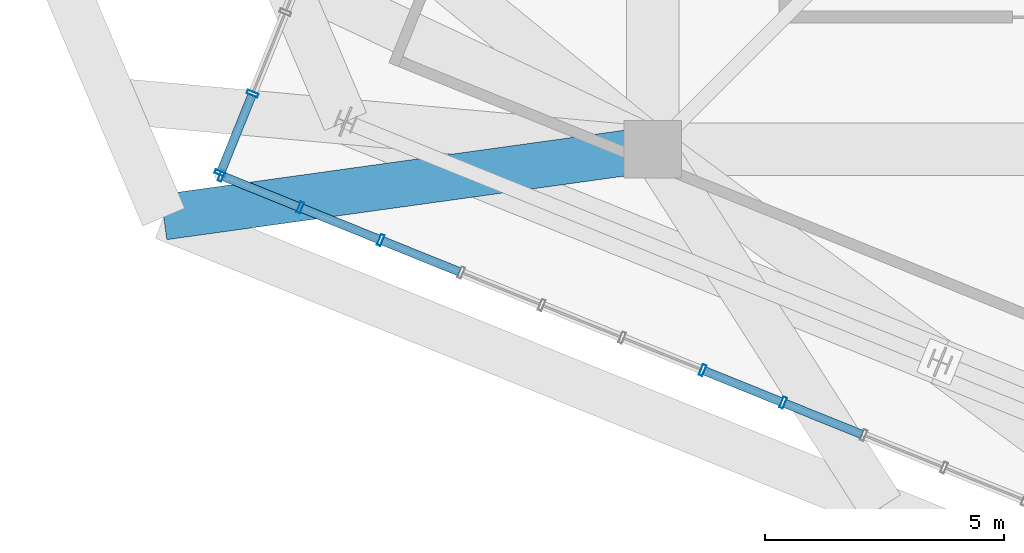
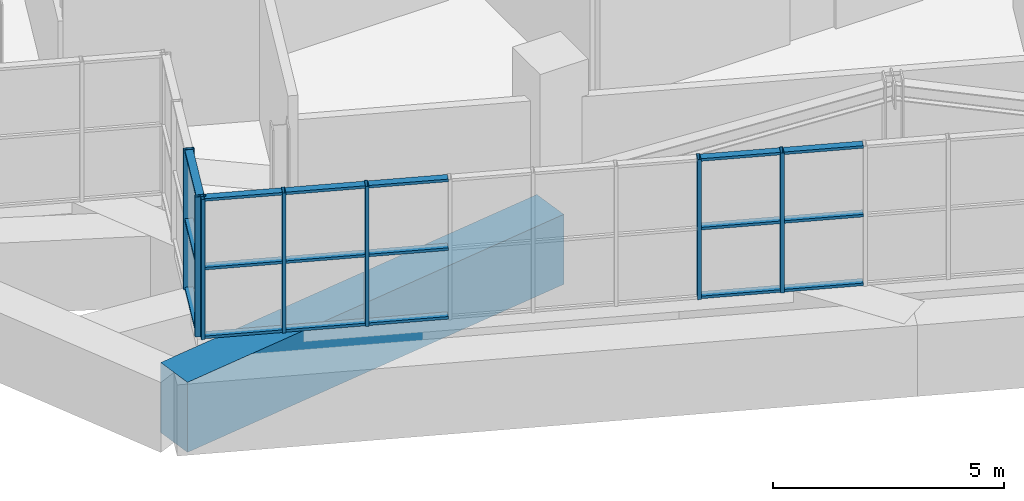
# One storey, part 3 of 35: 25 members, 1 beam, 2 elements without a shape of their own.
"""IFC4 building model written with IfcOpenShell, lengths in metres."""

import ifcopenshell
import ifcopenshell.guid

model = None  # the IFC model being written
_history = None  # IfcOwnerHistory: only IFC2X3 demands one
_inside = {}  # id of a spatial element -> (the spatial element, [elements in it])
_under = {}  # id of a project, library or spatial element -> (it, [spatial elements below it])
_declared = {}  # id of a project -> (the project, [libraries it declares])
_typed = {}  # id of a type object -> (the type object, [elements of that type])
_made_of = {}  # id of a material, layer set ... -> (it, [elements and type objects made of it])


def new_model(schema):
    """Start an empty IFC model of exactly this schema.

    Asked for "IFC4X3", IfcOpenShell would pick the latest addendum, in which some entities
    have other attributes; the version numbers below select the first issue.
    IFC2X3 requires an IfcOwnerHistory on every rooted entity: one is made here for all.
    """
    global model, _history
    if schema == "IFC4X3":
        model = ifcopenshell.file(schema_version=(4, 3, 0, 0))
    else:
        model = ifcopenshell.file(schema=schema)
    _inside.clear()
    _under.clear()
    _declared.clear()
    _typed.clear()
    _made_of.clear()
    _history = None
    if model.schema == "IFC2X3":
        org = make("IfcOrganization", Name="unknown")
        user = make(
            "IfcPersonAndOrganization",
            ThePerson=make("IfcPerson", FamilyName="unknown"),
            TheOrganization=org,
        )
        app = make(
            "IfcApplication",
            ApplicationDeveloper=org,
            Version="unknown",
            ApplicationFullName="unknown",
            ApplicationIdentifier="unknown",
        )
        _history = make(
            "IfcOwnerHistory",
            OwningUser=user,
            OwningApplication=app,
            ChangeAction="ADDED",
            CreationDate=0,
        )
    return model


def make(cls, **values):
    """One entity of the class cls with the attributes given. An attribute that is None is left unset."""
    return model.create_entity(
        cls, **{name: value for name, value in values.items() if value is not None}
    )


def rooted(cls, **values):
    """An entity with a GlobalId (a new one), such as an element, a storey or a relation."""
    return make(cls, GlobalId=ifcopenshell.guid.new(), OwnerHistory=_history, **values)


def si_unit(unit_type, name, prefix=None):
    """IfcSIUnit, for example si_unit("LENGTHUNIT", "METRE", prefix="MILLI")."""
    return make("IfcSIUnit", UnitType=unit_type, Prefix=prefix, Name=name)


def assignment(units):
    """IfcUnitAssignment: the units of a project."""
    return None if units is None else make("IfcUnitAssignment", Units=units)


def point(xyz):
    """IfcCartesianPoint."""
    return None if xyz is None else make("IfcCartesianPoint", Coordinates=xyz)


def direction(xyz):
    """IfcDirection."""
    return None if xyz is None else make("IfcDirection", DirectionRatios=xyz)


def frame(location, z_axis=None, x_axis=None):
    """IfcAxis2Placement3D, a coordinate frame: its origin and axes. An axis left out is left unset."""
    return make(
        "IfcAxis2Placement3D",
        Location=point(location),
        Axis=direction(z_axis),
        RefDirection=direction(x_axis),
    )


def frame_2d(location, x_axis=None):
    """IfcAxis2Placement2D, a coordinate frame in the plane: its origin and x axis."""
    return make(
        "IfcAxis2Placement2D", Location=point(location), RefDirection=direction(x_axis)
    )


def origin():
    """The frame at (0, 0, 0) with its axes left unset."""
    return frame((0.0, 0.0, 0.0))


def origin_2d():
    """The frame at (0, 0) in the plane with its x axis left unset."""
    return frame_2d((0.0, 0.0))


def place(relative_to, where):
    """IfcLocalPlacement: puts the frame where relative to a parent placement (None: the world)."""
    return make(
        "IfcLocalPlacement", PlacementRelTo=relative_to, RelativePlacement=where
    )


def context(
    kind, dimensions, precision=None, world=None, true_north=None, identifier=None
):
    """IfcGeometricRepresentationContext, for example the 3D "Model" context."""
    return make(
        "IfcGeometricRepresentationContext",
        ContextIdentifier=identifier,
        ContextType=kind,
        CoordinateSpaceDimension=dimensions,
        Precision=precision,
        WorldCoordinateSystem=world,
        TrueNorth=true_north,
    )


def subcontext(parent, identifier, kind, view, scale=None):
    """IfcGeometricRepresentationSubContext, for example "Body" below "Model"."""
    return make(
        "IfcGeometricRepresentationSubContext",
        ContextIdentifier=identifier,
        ContextType=kind,
        ParentContext=parent,
        TargetScale=scale,
        TargetView=view,
    )


def project(units=None, contexts=None):
    """IfcProject with its units and contexts."""
    return rooted(
        "IfcProject",
        Name="project",
        RepresentationContexts=contexts,
        UnitsInContext=assignment(units),
    )


def spatial(cls, under=None, at=None, **own):
    """A site, building, storey or space (cls), placed at a placement, below another one or the project."""
    s = rooted(cls, ObjectPlacement=at, **own)
    if under is not None:
        _under.setdefault(under.id(), (under, []))[1].append(s)
    return s


def profile(cls, at=None, kind="AREA", **sizes):
    """A parametric profile (cls). Its sizes go by their IFC names, for example OverallWidth=200.0."""
    return make(cls, ProfileType=kind, Position=at, **sizes)


def rectangle(**sizes):
    """IfcRectangleProfileDef."""
    return profile("IfcRectangleProfileDef", **sizes)


def hollow_rectangle(**sizes):
    """IfcRectangleHollowProfileDef."""
    return profile("IfcRectangleHollowProfileDef", **sizes)


def extrude(swept, where, along, depth):
    """IfcExtrudedAreaSolid: the profile swept, set in the frame where, extruded along a direction by depth."""
    return make(
        "IfcExtrudedAreaSolid",
        SweptArea=swept,
        Position=where,
        ExtrudedDirection=direction(along),
        Depth=depth,
    )


def shape(context_of_items, identifier, shape_type, items):
    """IfcShapeRepresentation: the items that make up one representation, for example the "Body"."""
    return make(
        "IfcShapeRepresentation",
        ContextOfItems=context_of_items,
        RepresentationIdentifier=identifier,
        RepresentationType=shape_type,
        Items=items,
    )


def source(mapping_origin, context_of_items, identifier, shape_type, items):
    """IfcRepresentationMap: a shape defined once, which mapped items show again and again."""
    return make(
        "IfcRepresentationMap",
        MappingOrigin=mapping_origin,
        MappedRepresentation=shape(context_of_items, identifier, shape_type, items),
    )


def transform(
    local_origin,
    x_axis=None,
    y_axis=None,
    z_axis=None,
    scale=None,
    scale2=None,
    scale3=None,
    uniform=True,
):
    """IfcCartesianTransformationOperator3D, or its non-uniform kind. x_axis, y_axis, z_axis: its Axis1, 2, 3."""
    if uniform:
        return make(
            "IfcCartesianTransformationOperator3D",
            Axis1=direction(x_axis),
            Axis2=direction(y_axis),
            LocalOrigin=point(local_origin),
            Scale=scale,
            Axis3=direction(z_axis),
        )
    return make(
        "IfcCartesianTransformationOperator3DnonUniform",
        Axis1=direction(x_axis),
        Axis2=direction(y_axis),
        LocalOrigin=point(local_origin),
        Scale=scale,
        Axis3=direction(z_axis),
        Scale2=scale2,
        Scale3=scale3,
    )


def mapped(mapping_source, mapping_target):
    """IfcMappedItem: shows the shape of a source again, moved by a transform."""
    return make(
        "IfcMappedItem", MappingSource=mapping_source, MappingTarget=mapping_target
    )


def material(Name=None, Category=None):
    """IfcMaterial."""
    return make("IfcMaterial", Name=Name, Category=Category)


def layer(
    of_material, thickness, ventilated=None, Name=None, Category=None, Priority=None
):
    """IfcMaterialLayer: one layer of a wall or slab, of a material (None: an air gap)."""
    return make(
        "IfcMaterialLayer",
        Material=of_material,
        LayerThickness=thickness,
        IsVentilated=ventilated,
        Name=Name,
        Category=Category,
        Priority=Priority,
    )


def layer_set(layers, Name=None):
    """IfcMaterialLayerSet."""
    return make("IfcMaterialLayerSet", MaterialLayers=layers, LayerSetName=Name)


def material_profile(
    of_material, cross_section, Name=None, Category=None, Priority=None
):
    """IfcMaterialProfile: a cross section and its material."""
    return make(
        "IfcMaterialProfile",
        Name=Name,
        Material=of_material,
        Profile=cross_section,
        Priority=Priority,
        Category=Category,
    )


def profile_set(profiles, Name=None, composite=None):
    """IfcMaterialProfileSet."""
    return make(
        "IfcMaterialProfileSet",
        Name=Name,
        MaterialProfiles=profiles,
        CompositeProfile=composite,
    )


def made_of(thing, what):
    """Note that an element or type object is made of a material, layer set ...; save() writes the relation."""
    if what is not None:
        _made_of.setdefault(what.id(), (what, []))[1].append(thing)
    return thing


def type_object(cls, material=None, **own):
    """A type object (cls), such as IfcWallType, which elements share."""
    return made_of(rooted(cls, **own), material)


def element(
    cls,
    number,
    at=None,
    inside=None,
    cuts=None,
    type_object=None,
    material=None,
    context=None,
    identifier="Body",
    shape_type=None,
    held_by="IfcProductDefinitionShape",
    body=None,
    shapes=None,
    **own,
):
    """One element of the class cls, such as IfcWall. Its Tag is "e" and its number.

    at: its placement. inside: the storey or other place that contains it. cuts: it is an
    opening in that element (IfcRelVoidsElement). A single representation is given by context,
    identifier, shape_type and body (its items); several are given by shapes. held_by: the class
    of the entity that holds the representations. save() writes the other relations.
    """
    e = rooted(cls, Tag="e%d" % number, ObjectPlacement=at, **own)
    if body is not None:
        shapes = [shape(context, identifier, shape_type, body)]
    if shapes is not None:
        e.Representation = make(held_by, Representations=shapes)
    if inside is not None:
        _inside.setdefault(inside.id(), (inside, []))[1].append(e)
    if cuts is not None:
        rooted(
            "IfcRelVoidsElement", RelatingBuildingElement=cuts, RelatedOpeningElement=e
        )
    if type_object is not None:
        _typed.setdefault(type_object.id(), (type_object, []))[1].append(e)
    return made_of(e, material)


def aggregate(whole, parts):
    """IfcRelAggregates: a whole, such as a stair, and the parts it consists of."""
    return rooted("IfcRelAggregates", RelatingObject=whole, RelatedObjects=parts)


def save(model, path):
    """Write the relations noted so far, then the file.

    IfcRelAggregates (storeys below a building ...), IfcRelContainedInSpatialStructure (elements
    in a storey), IfcRelDefinesByType, IfcRelAssociatesMaterial and IfcRelDeclares: one each for
    every whole, place, type object, material and project.
    """
    for whole, parts in _under.values():
        aggregate(whole, parts)
    for where, things in _inside.values():
        rooted(
            "IfcRelContainedInSpatialStructure",
            RelatedElements=things,
            RelatingStructure=where,
        )
    for kind, things in _typed.values():
        rooted("IfcRelDefinesByType", RelatedObjects=things, RelatingType=kind)
    for what, things in _made_of.values():
        rooted("IfcRelAssociatesMaterial", RelatedObjects=things, RelatingMaterial=what)
    for by, libraries in _declared.values():
        rooted("IfcRelDeclares", RelatingContext=by, RelatedDefinitions=libraries)
    model.write(path)


model = new_model("IFC4")

# Units and contexts
model_context = context("Model", 3, precision=1e-05, world=origin(), true_north=direction((0.0, 1.0)))
body_context = subcontext(model_context, "Body", "Model", "MODEL_VIEW")
ifc_project = project(units=[si_unit("LENGTHUNIT", "METRE"), si_unit("AREAUNIT", "SQUARE_METRE"), si_unit("VOLUMEUNIT", "CUBIC_METRE"), si_unit("PLANEANGLEUNIT", "RADIAN"), si_unit("MASSUNIT", "GRAM", prefix="KILO"), si_unit("THERMODYNAMICTEMPERATUREUNIT", "KELVIN")], contexts=[model_context])

# Site, building, storey
site_placement = place(None, origin())
site = spatial("IfcSite", under=ifc_project, at=site_placement, CompositionType="ELEMENT")
building_placement = place(site_placement, origin())
building = spatial("IfcBuilding", under=site, at=building_placement, Name="Kosmvard Interchange Tower", CompositionType="ELEMENT")
storey_placement = place(building_placement, frame((0.0, 0.0, 321.60009765625)))
storey = spatial("IfcBuildingStorey", under=building, at=storey_placement, Name="L79", CompositionType="ELEMENT", Elevation=321.60009765625)

# Beam
ifc_material_1 = material(Name="Concrete C60/75", Category="concrete")
ifc_material_profile_1 = material_profile(ifc_material_1, rectangle(XDim=0.949951171875, YDim=1.85009765625, at=origin_2d()), Name="TG 950x1850")
ifc_profile_set_1 = profile_set([ifc_material_profile_1], Name="Concrete C60/75")
beam_type = type_object("IfcBeamType", Name="Upper Transfer Ring Girder 950x1850 C60/75", PredefinedType="USERDEFINED", material=ifc_profile_set_1)
shared_shape_1 = source(origin(), body_context, "Body", "SweptSolid", [
    extrude(rectangle(XDim=0.949951171875, YDim=1.85009765625, at=origin_2d()), origin(), (0.0, 0.0, 1.0), 10.3212890625),
])
beam_placement = place(storey_placement, frame((-13.0810546875, -13.0810546875, -0.925048828125), z_axis=(-0.990491735984, -0.137572239014, 0.0), x_axis=(0.137572239014, -0.990491735984, 0.0)))
element("IfcBeam", 1, at=beam_placement, inside=storey, type_object=beam_type, Name="BM-L79-LD10", ObjectType="TRANSFER_GIRDER", PredefinedType="USERDEFINED", context=body_context, shape_type="MappedRepresentation", body=[
    mapped(shared_shape_1, transform((0.0, 0.0, 0.0), scale=1.0)),
])

# Curtain wall, members
ifc_material_2 = material(Name="Architectural anodised aluminium", Category="aluminium")
ifc_layer = layer(ifc_material_2, 0.25, Name="Architectural anodised aluminium")
ifc_layer_set = layer_set([ifc_layer], Name="Architectural anodised aluminium")
curtain_wall_type = type_object("IfcCurtainWallType", Name="CW-6 Illuminated Crown Lantern Curtain Wall", PredefinedType="NOTDEFINED", material=ifc_layer_set)
curtain_wall_1_placement = place(storey_placement, origin())
curtain_wall_1 = element("IfcCurtainWall", 2, at=curtain_wall_1_placement, inside=storey, type_object=curtain_wall_type, Name="L79 Crown Lantern Glazing Face 09", PredefinedType="NOTDEFINED")
ifc_material_profile_2 = material_profile(ifc_material_2, hollow_rectangle(XDim=0.239990234375, YDim=0.080078125, WallThickness=0.006103515625, at=origin_2d()), Name="CWM 240x80x6")
ifc_profile_set_2 = profile_set([ifc_material_profile_2], Name="Architectural anodised aluminium")
member_type_1 = type_object("IfcMemberType", Name="Lantern & Observation CW Mullion 240x80 Aluminium", PredefinedType="MULLION", material=ifc_profile_set_2)
shared_shape_2 = source(origin(), body_context, "Body", "SweptSolid", [
    extrude(hollow_rectangle(XDim=0.239990234375, YDim=0.080078125, WallThickness=0.006103515625, at=origin_2d()), origin(), (0.0, 0.0, 1.0), 3.699951171875),
])
member_1_placement = place(storey_placement, frame((-21.447265625, -11.92041015625, 0.0), z_axis=(0.0, 0.0, 1.0), x_axis=(0.927183891631, -0.374606501678, 0.0)))
member_1 = element("IfcMember", 3, at=member_1_placement, type_object=member_type_1, Name="CW-6 mullion 3", PredefinedType="MULLION", context=body_context, shape_type="MappedRepresentation", body=[
    mapped(shared_shape_2, transform((0.0, 0.0, 0.0), scale=1.0)),
])
member_2_placement = place(storey_placement, frame((-22.118896484375, -13.583251953125, 0.0), z_axis=(0.0, 0.0, 1.0), x_axis=(0.927183891631, -0.374606501678, 0.0)))
member_2 = element("IfcMember", 4, at=member_2_placement, type_object=member_type_1, Name="CW-6 mullion 4", PredefinedType="MULLION", context=body_context, shape_type="MappedRepresentation", body=[
    mapped(shared_shape_2, transform((0.0, 0.0, 0.0), scale=1.0)),
])

curtain_wall_2_placement = place(storey_placement, origin())
curtain_wall_2 = element("IfcCurtainWall", 5, at=curtain_wall_2_placement, inside=storey, type_object=curtain_wall_type, Name="L79 Crown Lantern Glazing Face 10", PredefinedType="NOTDEFINED")
member_3_placement = place(storey_placement, frame((-22.096923828125, -13.63525390625, 0.0), z_axis=(0.0, 0.0, 1.0), x_axis=(0.374606584758, 0.927183858065, 0.0)))
member_3 = element("IfcMember", 6, at=member_3_placement, type_object=member_type_1, Name="CW-6 mullion 1", PredefinedType="MULLION", context=body_context, shape_type="MappedRepresentation", body=[
    mapped(shared_shape_2, transform((0.0, 0.0, 0.0), scale=1.0)),
])
member_4_placement = place(storey_placement, frame((-20.451904296875, -14.2998046875, 0.0), z_axis=(0.0, 0.0, 1.0), x_axis=(0.374606584758, 0.927183858065, 0.0)))
member_4 = element("IfcMember", 7, at=member_4_placement, type_object=member_type_1, Name="CW-6 mullion 2", PredefinedType="MULLION", context=body_context, shape_type="MappedRepresentation", body=[
    mapped(shared_shape_2, transform((0.0, 0.0, 0.0), scale=1.0)),
])
member_5_placement = place(storey_placement, frame((-18.77001953125, -14.9794921875, 0.0), z_axis=(0.0, 0.0, 1.0), x_axis=(0.374606584758, 0.927183858065, 0.0)))
member_5 = element("IfcMember", 8, at=member_5_placement, type_object=member_type_1, Name="CW-6 mullion 3", PredefinedType="MULLION", context=body_context, shape_type="MappedRepresentation", body=[
    mapped(shared_shape_2, transform((0.0, 0.0, 0.0), scale=1.0)),
])
member_6_placement = place(storey_placement, frame((-12.041748046875, -17.69775390625, 0.0), z_axis=(0.0, 0.0, 1.0), x_axis=(0.374606584758, 0.927183858065, 0.0)))
member_6 = element("IfcMember", 9, at=member_6_placement, type_object=member_type_1, Name="CW-6 mullion 7", PredefinedType="MULLION", context=body_context, shape_type="MappedRepresentation", body=[
    mapped(shared_shape_2, transform((0.0, 0.0, 0.0), scale=1.0)),
])
member_7_placement = place(storey_placement, frame((-10.35986328125, -18.377197265625, 0.0), z_axis=(0.0, 0.0, 1.0), x_axis=(0.374606584758, 0.927183858065, 0.0)))
member_7 = element("IfcMember", 10, at=member_7_placement, type_object=member_type_1, Name="CW-6 mullion 8", PredefinedType="MULLION", context=body_context, shape_type="MappedRepresentation", body=[
    mapped(shared_shape_2, transform((0.0, 0.0, 0.0), scale=1.0)),
])
ifc_material_profile_3 = material_profile(ifc_material_2, hollow_rectangle(XDim=0.179931640625, YDim=0.070068359375, WallThickness=0.0048828125, at=origin_2d()), Name="CWT 180x70x5")
ifc_profile_set_3 = profile_set([ifc_material_profile_3], Name="Architectural anodised aluminium")
member_type_2 = type_object("IfcMemberType", Name="Heavy Lantern CW Transom 180x70 Aluminium", PredefinedType="USERDEFINED", material=ifc_profile_set_3)
shared_shape_3 = source(origin(), body_context, "Body", "SweptSolid", [
    extrude(hollow_rectangle(XDim=0.179931640625, YDim=0.070068359375, WallThickness=0.0048828125, at=origin_2d()), origin(), (0.0, 0.0, 1.0), 1.694091796875),
])
member_8_placement = place(storey_placement, frame((-22.059814453125, -13.650146484375, 0.034912109375), z_axis=(0.927159064032, -0.374667946298, 0.0), x_axis=(0.374667946298, 0.927159064032, 0.0)))
member_8 = element("IfcMember", 11, at=member_8_placement, type_object=member_type_2, Name="CW-6 transom 1.1", ObjectType="TRANSOM", PredefinedType="USERDEFINED", context=body_context, shape_type="MappedRepresentation", body=[
    mapped(shared_shape_3, transform((0.0, 0.0, 0.0), scale=1.0)),
])
member_9_placement = place(storey_placement, frame((-22.059814453125, -13.650146484375, 1.849853515625), z_axis=(0.927159064032, -0.374667946298, 0.0), x_axis=(0.374667946298, 0.927159064032, 0.0)))
member_9 = element("IfcMember", 12, at=member_9_placement, type_object=member_type_2, Name="CW-6 transom 1.2", ObjectType="TRANSOM", PredefinedType="USERDEFINED", context=body_context, shape_type="MappedRepresentation", body=[
    mapped(shared_shape_3, transform((0.0, 0.0, 0.0), scale=1.0)),
])
member_10_placement = place(storey_placement, frame((-22.059814453125, -13.650146484375, 3.664794921875), z_axis=(0.927159064032, -0.374667946298, 0.0), x_axis=(0.374667946298, 0.927159064032, 0.0)))
member_10 = element("IfcMember", 13, at=member_10_placement, type_object=member_type_2, Name="CW-6 transom 1.3", ObjectType="TRANSOM", PredefinedType="USERDEFINED", context=body_context, shape_type="MappedRepresentation", body=[
    mapped(shared_shape_3, transform((0.0, 0.0, 0.0), scale=1.0)),
])
shared_shape_4 = source(origin(), body_context, "Body", "SweptSolid", [
    extrude(hollow_rectangle(XDim=0.179931640625, YDim=0.070068359375, WallThickness=0.0048828125, at=origin_2d()), origin(), (0.0, 0.0, 1.0), 1.734130859375),
])
member_11_placement = place(storey_placement, frame((-20.414794921875, -14.314697265625, 0.034912109375), z_axis=(0.927179782522, -0.374616671924, 0.0), x_axis=(0.374616671924, 0.927179782522, 0.0)))
member_11 = element("IfcMember", 14, at=member_11_placement, type_object=member_type_2, Name="CW-6 transom 2.1", ObjectType="TRANSOM", PredefinedType="USERDEFINED", context=body_context, shape_type="MappedRepresentation", body=[
    mapped(shared_shape_4, transform((0.0, 0.0, 0.0), scale=1.0)),
])
member_12_placement = place(storey_placement, frame((-20.414794921875, -14.314697265625, 1.849853515625), z_axis=(0.927179782522, -0.374616671924, 0.0), x_axis=(0.374616671924, 0.927179782522, 0.0)))
member_12 = element("IfcMember", 15, at=member_12_placement, type_object=member_type_2, Name="CW-6 transom 2.2", ObjectType="TRANSOM", PredefinedType="USERDEFINED", context=body_context, shape_type="MappedRepresentation", body=[
    mapped(shared_shape_4, transform((0.0, 0.0, 0.0), scale=1.0)),
])
member_13_placement = place(storey_placement, frame((-20.414794921875, -14.314697265625, 3.664794921875), z_axis=(0.927179782522, -0.374616671924, 0.0), x_axis=(0.374616671924, 0.927179782522, 0.0)))
member_13 = element("IfcMember", 16, at=member_13_placement, type_object=member_type_2, Name="CW-6 transom 2.3", ObjectType="TRANSOM", PredefinedType="USERDEFINED", context=body_context, shape_type="MappedRepresentation", body=[
    mapped(shared_shape_4, transform((0.0, 0.0, 0.0), scale=1.0)),
])
member_14_placement = place(storey_placement, frame((-18.73291015625, -14.994384765625, 0.034912109375), z_axis=(0.927179782522, -0.374616671924, 0.0), x_axis=(0.374616671924, 0.927179782522, 0.0)))
member_14 = element("IfcMember", 17, at=member_14_placement, type_object=member_type_2, Name="CW-6 transom 3.1", ObjectType="TRANSOM", PredefinedType="USERDEFINED", context=body_context, shape_type="MappedRepresentation", body=[
    mapped(shared_shape_4, transform((0.0, 0.0, 0.0), scale=1.0)),
])
member_15_placement = place(storey_placement, frame((-18.73291015625, -14.994384765625, 1.849853515625), z_axis=(0.927179782522, -0.374616671924, 0.0), x_axis=(0.374616671924, 0.927179782522, 0.0)))
member_15 = element("IfcMember", 18, at=member_15_placement, type_object=member_type_2, Name="CW-6 transom 3.2", ObjectType="TRANSOM", PredefinedType="USERDEFINED", context=body_context, shape_type="MappedRepresentation", body=[
    mapped(shared_shape_4, transform((0.0, 0.0, 0.0), scale=1.0)),
])
member_16_placement = place(storey_placement, frame((-18.73291015625, -14.994384765625, 3.664794921875), z_axis=(0.927179782522, -0.374616671924, 0.0), x_axis=(0.374616671924, 0.927179782522, 0.0)))
member_16 = element("IfcMember", 19, at=member_16_placement, type_object=member_type_2, Name="CW-6 transom 3.3", ObjectType="TRANSOM", PredefinedType="USERDEFINED", context=body_context, shape_type="MappedRepresentation", body=[
    mapped(shared_shape_4, transform((0.0, 0.0, 0.0), scale=1.0)),
])
member_17_placement = place(storey_placement, frame((-10.32275390625, -18.392333984375, 0.034912109375), z_axis=(0.927179782522, -0.374616671924, 0.0), x_axis=(0.374616671924, 0.927179782522, 0.0)))
member_17 = element("IfcMember", 20, at=member_17_placement, type_object=member_type_2, Name="CW-6 transom 8.1", ObjectType="TRANSOM", PredefinedType="USERDEFINED", context=body_context, shape_type="MappedRepresentation", body=[
    mapped(shared_shape_4, transform((0.0, 0.0, 0.0), scale=1.0)),
])
member_18_placement = place(storey_placement, frame((-10.32275390625, -18.392333984375, 1.849853515625), z_axis=(0.927179782522, -0.374616671924, 0.0), x_axis=(0.374616671924, 0.927179782522, 0.0)))
member_18 = element("IfcMember", 21, at=member_18_placement, type_object=member_type_2, Name="CW-6 transom 8.2", ObjectType="TRANSOM", PredefinedType="USERDEFINED", context=body_context, shape_type="MappedRepresentation", body=[
    mapped(shared_shape_4, transform((0.0, 0.0, 0.0), scale=1.0)),
])
member_19_placement = place(storey_placement, frame((-10.32275390625, -18.392333984375, 3.664794921875), z_axis=(0.927179782522, -0.374616671924, 0.0), x_axis=(0.374616671924, 0.927179782522, 0.0)))
member_19 = element("IfcMember", 22, at=member_19_placement, type_object=member_type_2, Name="CW-6 transom 8.3", ObjectType="TRANSOM", PredefinedType="USERDEFINED", context=body_context, shape_type="MappedRepresentation", body=[
    mapped(shared_shape_4, transform((0.0, 0.0, 0.0), scale=1.0)),
])
shared_shape_5 = source(origin(), body_context, "Body", "SweptSolid", [
    extrude(hollow_rectangle(XDim=0.179931640625, YDim=0.070068359375, WallThickness=0.0048828125, at=origin_2d()), origin(), (0.0, 0.0, 1.0), 1.73388671875),
])
member_20_placement = place(storey_placement, frame((-12.004638671875, -17.712646484375, 0.034912109375), z_axis=(0.927160021861, -0.374665576032, 0.0), x_axis=(0.374665576032, 0.927160021861, 0.0)))
member_20 = element("IfcMember", 23, at=member_20_placement, type_object=member_type_2, Name="CW-6 transom 7.1", ObjectType="TRANSOM", PredefinedType="USERDEFINED", context=body_context, shape_type="MappedRepresentation", body=[
    mapped(shared_shape_5, transform((0.0, 0.0, 0.0), scale=1.0)),
])
member_21_placement = place(storey_placement, frame((-12.004638671875, -17.712646484375, 1.849853515625), z_axis=(0.927160021861, -0.374665576032, 0.0), x_axis=(0.374665576032, 0.927160021861, 0.0)))
member_21 = element("IfcMember", 24, at=member_21_placement, type_object=member_type_2, Name="CW-6 transom 7.2", ObjectType="TRANSOM", PredefinedType="USERDEFINED", context=body_context, shape_type="MappedRepresentation", body=[
    mapped(shared_shape_5, transform((0.0, 0.0, 0.0), scale=1.0)),
])
member_22_placement = place(storey_placement, frame((-12.004638671875, -17.712646484375, 3.664794921875), z_axis=(0.927160021861, -0.374665576032, 0.0), x_axis=(0.374665576032, 0.927160021861, 0.0)))
member_22 = element("IfcMember", 25, at=member_22_placement, type_object=member_type_2, Name="CW-6 transom 7.3", ObjectType="TRANSOM", PredefinedType="USERDEFINED", context=body_context, shape_type="MappedRepresentation", body=[
    mapped(shared_shape_5, transform((0.0, 0.0, 0.0), scale=1.0)),
])
aggregate(curtain_wall_2, [member_3, member_4, member_5, member_6, member_7, member_8, member_9, member_10, member_11, member_12, member_13, member_14, member_15, member_16, member_20, member_21, member_22, member_17, member_18, member_19])

# Member
shared_shape_6 = source(origin(), body_context, "Body", "SweptSolid", [
    extrude(hollow_rectangle(XDim=0.179931640625, YDim=0.070068359375, WallThickness=0.0048828125, at=origin_2d()), origin(), (0.0, 0.0, 1.0), 1.71337890625),
])
member_23_placement = place(storey_placement, frame((-21.462158203125, -11.95751953125, 0.034912109375), z_axis=(-0.374606758599, -0.927183787829, 0.0), x_axis=(0.927183787829, -0.374606758599, 0.0)))
member_23 = element("IfcMember", 26, at=member_23_placement, type_object=member_type_2, Name="CW-6 transom 3.1", ObjectType="TRANSOM", PredefinedType="USERDEFINED", context=body_context, shape_type="MappedRepresentation", body=[
    mapped(shared_shape_6, transform((0.0, 0.0, 0.0), scale=1.0)),
])

member_24_placement = place(storey_placement, frame((-21.462158203125, -11.95751953125, 1.849853515625), z_axis=(-0.374606758599, -0.927183787829, 0.0), x_axis=(0.927183787829, -0.374606758599, 0.0)))
member_24 = element("IfcMember", 27, at=member_24_placement, type_object=member_type_2, Name="CW-6 transom 3.2", ObjectType="TRANSOM", PredefinedType="USERDEFINED", context=body_context, shape_type="MappedRepresentation", body=[
    mapped(shared_shape_6, transform((0.0, 0.0, 0.0), scale=1.0)),
])

member_25_placement = place(storey_placement, frame((-21.462158203125, -11.95751953125, 3.664794921875), z_axis=(-0.374606758599, -0.927183787829, 0.0), x_axis=(0.927183787829, -0.374606758599, 0.0)))
member_25 = element("IfcMember", 28, at=member_25_placement, type_object=member_type_2, Name="CW-6 transom 3.3", ObjectType="TRANSOM", PredefinedType="USERDEFINED", context=body_context, shape_type="MappedRepresentation", body=[
    mapped(shared_shape_6, transform((0.0, 0.0, 0.0), scale=1.0)),
])

aggregate(curtain_wall_1, [member_1, member_2, member_23, member_24, member_25])

save(model, "model.ifc")
